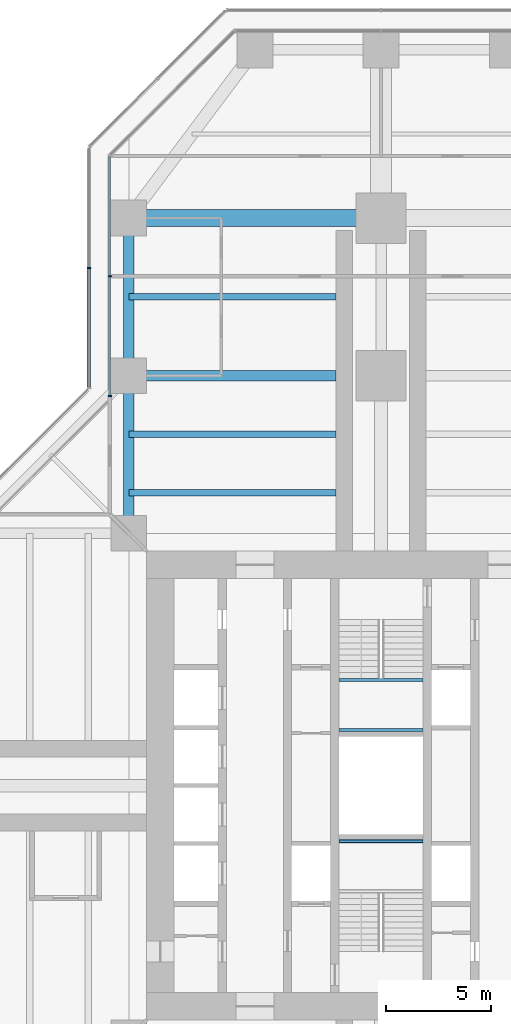
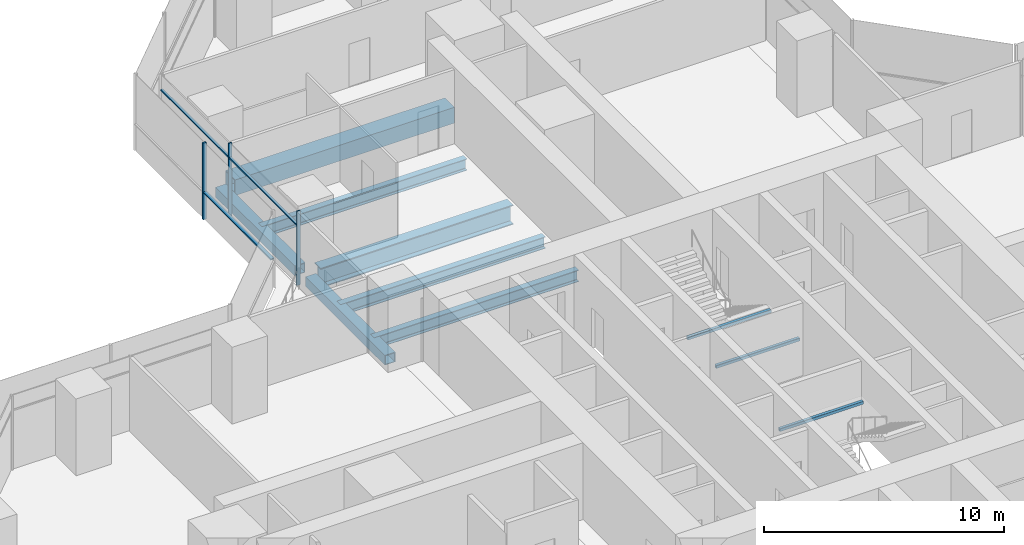
# One storey, part 9 of 22: 10 beams, 6 members, 2 elements without a shape of their own.
"""IFC4 building model written with IfcOpenShell, lengths in metres."""

import ifcopenshell
import ifcopenshell.guid

model = None  # the IFC model being written
_history = None  # IfcOwnerHistory: only IFC2X3 demands one
_inside = {}  # id of a spatial element -> (the spatial element, [elements in it])
_under = {}  # id of a project, library or spatial element -> (it, [spatial elements below it])
_declared = {}  # id of a project -> (the project, [libraries it declares])
_typed = {}  # id of a type object -> (the type object, [elements of that type])
_made_of = {}  # id of a material, layer set ... -> (it, [elements and type objects made of it])


def new_model(schema):
    """Start an empty IFC model of exactly this schema.

    Asked for "IFC4X3", IfcOpenShell would pick the latest addendum, in which some entities
    have other attributes; the version numbers below select the first issue.
    IFC2X3 requires an IfcOwnerHistory on every rooted entity: one is made here for all.
    """
    global model, _history
    if schema == "IFC4X3":
        model = ifcopenshell.file(schema_version=(4, 3, 0, 0))
    else:
        model = ifcopenshell.file(schema=schema)
    _inside.clear()
    _under.clear()
    _declared.clear()
    _typed.clear()
    _made_of.clear()
    _history = None
    if model.schema == "IFC2X3":
        org = make("IfcOrganization", Name="unknown")
        user = make(
            "IfcPersonAndOrganization",
            ThePerson=make("IfcPerson", FamilyName="unknown"),
            TheOrganization=org,
        )
        app = make(
            "IfcApplication",
            ApplicationDeveloper=org,
            Version="unknown",
            ApplicationFullName="unknown",
            ApplicationIdentifier="unknown",
        )
        _history = make(
            "IfcOwnerHistory",
            OwningUser=user,
            OwningApplication=app,
            ChangeAction="ADDED",
            CreationDate=0,
        )
    return model


def make(cls, **values):
    """One entity of the class cls with the attributes given. An attribute that is None is left unset."""
    return model.create_entity(
        cls, **{name: value for name, value in values.items() if value is not None}
    )


def rooted(cls, **values):
    """An entity with a GlobalId (a new one), such as an element, a storey or a relation."""
    return make(cls, GlobalId=ifcopenshell.guid.new(), OwnerHistory=_history, **values)


def si_unit(unit_type, name, prefix=None):
    """IfcSIUnit, for example si_unit("LENGTHUNIT", "METRE", prefix="MILLI")."""
    return make("IfcSIUnit", UnitType=unit_type, Prefix=prefix, Name=name)


def assignment(units):
    """IfcUnitAssignment: the units of a project."""
    return None if units is None else make("IfcUnitAssignment", Units=units)


def point(xyz):
    """IfcCartesianPoint."""
    return None if xyz is None else make("IfcCartesianPoint", Coordinates=xyz)


def direction(xyz):
    """IfcDirection."""
    return None if xyz is None else make("IfcDirection", DirectionRatios=xyz)


def frame(location, z_axis=None, x_axis=None):
    """IfcAxis2Placement3D, a coordinate frame: its origin and axes. An axis left out is left unset."""
    return make(
        "IfcAxis2Placement3D",
        Location=point(location),
        Axis=direction(z_axis),
        RefDirection=direction(x_axis),
    )


def frame_2d(location, x_axis=None):
    """IfcAxis2Placement2D, a coordinate frame in the plane: its origin and x axis."""
    return make(
        "IfcAxis2Placement2D", Location=point(location), RefDirection=direction(x_axis)
    )


def origin():
    """The frame at (0, 0, 0) with its axes left unset."""
    return frame((0.0, 0.0, 0.0))


def origin_2d():
    """The frame at (0, 0) in the plane with its x axis left unset."""
    return frame_2d((0.0, 0.0))


def place(relative_to, where):
    """IfcLocalPlacement: puts the frame where relative to a parent placement (None: the world)."""
    return make(
        "IfcLocalPlacement", PlacementRelTo=relative_to, RelativePlacement=where
    )


def context(
    kind, dimensions, precision=None, world=None, true_north=None, identifier=None
):
    """IfcGeometricRepresentationContext, for example the 3D "Model" context."""
    return make(
        "IfcGeometricRepresentationContext",
        ContextIdentifier=identifier,
        ContextType=kind,
        CoordinateSpaceDimension=dimensions,
        Precision=precision,
        WorldCoordinateSystem=world,
        TrueNorth=true_north,
    )


def subcontext(parent, identifier, kind, view, scale=None):
    """IfcGeometricRepresentationSubContext, for example "Body" below "Model"."""
    return make(
        "IfcGeometricRepresentationSubContext",
        ContextIdentifier=identifier,
        ContextType=kind,
        ParentContext=parent,
        TargetScale=scale,
        TargetView=view,
    )


def project(units=None, contexts=None):
    """IfcProject with its units and contexts."""
    return rooted(
        "IfcProject",
        Name="project",
        RepresentationContexts=contexts,
        UnitsInContext=assignment(units),
    )


def spatial(cls, under=None, at=None, **own):
    """A site, building, storey or space (cls), placed at a placement, below another one or the project."""
    s = rooted(cls, ObjectPlacement=at, **own)
    if under is not None:
        _under.setdefault(under.id(), (under, []))[1].append(s)
    return s


def profile(cls, at=None, kind="AREA", **sizes):
    """A parametric profile (cls). Its sizes go by their IFC names, for example OverallWidth=200.0."""
    return make(cls, ProfileType=kind, Position=at, **sizes)


def rectangle(**sizes):
    """IfcRectangleProfileDef."""
    return profile("IfcRectangleProfileDef", **sizes)


def hollow_rectangle(**sizes):
    """IfcRectangleHollowProfileDef."""
    return profile("IfcRectangleHollowProfileDef", **sizes)


def i_section(**sizes):
    """IfcIShapeProfileDef."""
    return profile("IfcIShapeProfileDef", **sizes)


def extrude(swept, where, along, depth):
    """IfcExtrudedAreaSolid: the profile swept, set in the frame where, extruded along a direction by depth."""
    return make(
        "IfcExtrudedAreaSolid",
        SweptArea=swept,
        Position=where,
        ExtrudedDirection=direction(along),
        Depth=depth,
    )


def shape(context_of_items, identifier, shape_type, items):
    """IfcShapeRepresentation: the items that make up one representation, for example the "Body"."""
    return make(
        "IfcShapeRepresentation",
        ContextOfItems=context_of_items,
        RepresentationIdentifier=identifier,
        RepresentationType=shape_type,
        Items=items,
    )


def material(Name=None, Category=None):
    """IfcMaterial."""
    return make("IfcMaterial", Name=Name, Category=Category)


def material_profile(
    of_material, cross_section, Name=None, Category=None, Priority=None
):
    """IfcMaterialProfile: a cross section and its material."""
    return make(
        "IfcMaterialProfile",
        Name=Name,
        Material=of_material,
        Profile=cross_section,
        Priority=Priority,
        Category=Category,
    )


def profile_set(profiles, Name=None, composite=None):
    """IfcMaterialProfileSet."""
    return make(
        "IfcMaterialProfileSet",
        Name=Name,
        MaterialProfiles=profiles,
        CompositeProfile=composite,
    )


def made_of(thing, what):
    """Note that an element or type object is made of a material, layer set ...; save() writes the relation."""
    if what is not None:
        _made_of.setdefault(what.id(), (what, []))[1].append(thing)
    return thing


def type_object(cls, material=None, **own):
    """A type object (cls), such as IfcWallType, which elements share."""
    return made_of(rooted(cls, **own), material)


def element(
    cls,
    number,
    at=None,
    inside=None,
    cuts=None,
    type_object=None,
    material=None,
    context=None,
    identifier="Body",
    shape_type=None,
    held_by="IfcProductDefinitionShape",
    body=None,
    shapes=None,
    **own,
):
    """One element of the class cls, such as IfcWall. Its Tag is "e" and its number.

    at: its placement. inside: the storey or other place that contains it. cuts: it is an
    opening in that element (IfcRelVoidsElement). A single representation is given by context,
    identifier, shape_type and body (its items); several are given by shapes. held_by: the class
    of the entity that holds the representations. save() writes the other relations.
    """
    e = rooted(cls, Tag="e%d" % number, ObjectPlacement=at, **own)
    if body is not None:
        shapes = [shape(context, identifier, shape_type, body)]
    if shapes is not None:
        e.Representation = make(held_by, Representations=shapes)
    if inside is not None:
        _inside.setdefault(inside.id(), (inside, []))[1].append(e)
    if cuts is not None:
        rooted(
            "IfcRelVoidsElement", RelatingBuildingElement=cuts, RelatedOpeningElement=e
        )
    if type_object is not None:
        _typed.setdefault(type_object.id(), (type_object, []))[1].append(e)
    return made_of(e, material)


def aggregate(whole, parts):
    """IfcRelAggregates: a whole, such as a stair, and the parts it consists of."""
    return rooted("IfcRelAggregates", RelatingObject=whole, RelatedObjects=parts)


def save(model, path):
    """Write the relations noted so far, then the file.

    IfcRelAggregates (storeys below a building ...), IfcRelContainedInSpatialStructure (elements
    in a storey), IfcRelDefinesByType, IfcRelAssociatesMaterial and IfcRelDeclares: one each for
    every whole, place, type object, material and project.
    """
    for whole, parts in _under.values():
        aggregate(whole, parts)
    for where, things in _inside.values():
        rooted(
            "IfcRelContainedInSpatialStructure",
            RelatedElements=things,
            RelatingStructure=where,
        )
    for kind, things in _typed.values():
        rooted("IfcRelDefinesByType", RelatedObjects=things, RelatingType=kind)
    for what, things in _made_of.values():
        rooted("IfcRelAssociatesMaterial", RelatedObjects=things, RelatingMaterial=what)
    for by, libraries in _declared.values():
        rooted("IfcRelDeclares", RelatingContext=by, RelatedDefinitions=libraries)
    model.write(path)


model = new_model("IFC4")

# Units and contexts
model_context = context("Model", 3, precision=1e-05, world=origin(), true_north=direction((0.0, 1.0)))
body_context = subcontext(model_context, "Body", "Model", "MODEL_VIEW")
ifc_project = project(units=[si_unit("LENGTHUNIT", "METRE"), si_unit("AREAUNIT", "SQUARE_METRE"), si_unit("VOLUMEUNIT", "CUBIC_METRE"), si_unit("PLANEANGLEUNIT", "RADIAN"), si_unit("MASSUNIT", "GRAM", prefix="KILO")], contexts=[model_context])

# Site, building, storey
site_placement = place(None, origin())
site = spatial("IfcSite", under=ifc_project, at=site_placement, CompositionType="ELEMENT")
building_placement = place(site_placement, origin())
building = spatial("IfcBuilding", under=site, at=building_placement, Name="Mizan Broadcast Tower", CompositionType="ELEMENT")
storey_placement = place(building_placement, frame((0.0, 0.0, 105.89990234375)))
storey = spatial("IfcBuildingStorey", under=building, at=storey_placement, Name="L23", CompositionType="ELEMENT", Elevation=105.89990234375)

# Beams
ifc_material_1 = material(Name="Steel S355", Category="steel")
ifc_material_profile_1 = material_profile(ifc_material_1, hollow_rectangle(XDim=0.5, YDim=0.5, WallThickness=0.030029296875, at=origin_2d()), Name="BOX 500x500x30")
ifc_profile_set_1 = profile_set([ifc_material_profile_1], Name="Steel S355")
beam_type_1 = type_object("IfcBeamType", Name="EDGE BEAM BOX 500x500x30", PredefinedType="SPANDREL", material=ifc_profile_set_1)
for number, where, z_axis, x_axis, name in (
    (1, (-12.0, 12.449951171875, -0.3798828125), (0.0, 1.0, 0.0), (-1.0, 0.0, 0.0), "Edge beam BOX 500x500x30 L23 north arm"),
    (2, (-12.0, 19.949951171875, -0.3798828125), (0.0, 1.0, 0.0), (-1.0, 0.0, 0.0), "Edge beam BOX 500x500x30 L23 north arm"),
):
    element("IfcBeam", number, at=place(storey_placement, frame(where, z_axis=z_axis, x_axis=x_axis)), inside=storey, type_object=beam_type_1, Name=name, PredefinedType="SPANDREL", context=body_context, shape_type="SweptSolid", body=[
        extrude(hollow_rectangle(XDim=0.5, YDim=0.5, WallThickness=0.030029296875, at=origin_2d()), origin(), (0.0, 0.0, 1.0), 6.60009765625),
    ])
ifc_material_2 = material(Name="Steel S460", Category="steel")
ifc_material_profile_2 = material_profile(ifc_material_2, hollow_rectangle(XDim=0.800048828125, YDim=0.800048828125, WallThickness=0.050048828125, at=origin_2d()), Name="BOX 800x800x50")
ifc_profile_set_2 = profile_set([ifc_material_profile_2], Name="Steel S460")
beam_type_2 = type_object("IfcBeamType", Name="GIRDER BOX 800x800x50", PredefinedType="BEAM", material=ifc_profile_set_2)
beam_1_placement = place(storey_placement, frame((-11.280029296875, 27.0, -0.52978515625), z_axis=(1.0, 0.0, 0.0), x_axis=(0.0, 1.0, 0.0)))
element("IfcBeam", 3, at=beam_1_placement, inside=storey, type_object=beam_type_2, Name="Girder BOX 800x800x50 L23 north arm", PredefinedType="BEAM", context=body_context, shape_type="SweptSolid", body=[
    extrude(hollow_rectangle(XDim=0.800048828125, YDim=0.800048828125, WallThickness=0.050048828125, at=origin_2d()), origin(), (0.0, 0.0, 1.0), 10.56005859375),
])
ifc_material_3 = material(Name="Steel S460", Category="steel")
ifc_material_profile_3 = material_profile(ifc_material_3, i_section(OverallWidth=0.5, OverallDepth=1.0, WebThickness=0.02490234375, FlangeThickness=0.050048828125, at=origin_2d()), Name="WPG 1000x500")
ifc_profile_set_3 = profile_set([ifc_material_profile_3], Name="Steel S460")
beam_type_3 = type_object("IfcBeamType", Name="GIRDER WPG 1000x500", PredefinedType="BEAM", material=ifc_profile_set_3)
beam_2_placement = place(storey_placement, frame((-11.408935546875, 19.5, -0.6298828125), z_axis=(1.0, 0.0, 0.0), x_axis=(0.0, 1.0, 0.0)))
element("IfcBeam", 4, at=beam_2_placement, inside=storey, type_object=beam_type_3, Name="Girder WPG 1000x500 L23 north arm", PredefinedType="BEAM", context=body_context, shape_type="SweptSolid", body=[
    extrude(i_section(OverallWidth=0.5, OverallDepth=1.0, WebThickness=0.02490234375, FlangeThickness=0.050048828125, at=origin_2d()), origin(), (0.0, 0.0, 1.0), 9.259033203125),
])

# Curtain wall, members
ifc_material_4 = material(Name="Aluminium framed glazing", Category="aluminium")
curtain_wall_type_1 = type_object("IfcCurtainWallType", Name="INNER SKIN LOW ZONE", PredefinedType="USERDEFINED", material=ifc_material_4)
curtain_wall_1_placement = place(storey_placement, origin())
curtain_wall_1 = element("IfcCurtainWall", 5, at=curtain_wall_1_placement, inside=storey, type_object=curtain_wall_type_1, Name="Inner skin low zone L23 N side", ObjectType="INNER SKIN LOW ZONE", PredefinedType="USERDEFINED")
ifc_material_5 = material(Name="Aluminium, pale anodised", Category="aluminium")
ifc_material_profile_4 = material_profile(ifc_material_5, rectangle(XDim=0.159912109375, YDim=0.06005859375, at=origin_2d()), Name="MULLION 160x60")
ifc_profile_set_4 = profile_set([ifc_material_profile_4], Name="Aluminium, pale anodised")
member_type_1 = type_object("IfcMemberType", Name="INNER SKIN MULLION 60x160", PredefinedType="MULLION", material=ifc_profile_set_4)
member_1_placement = place(storey_placement, frame((-12.89990234375, 24.229248046875, 0.0), z_axis=(0.0, 0.0, 1.0), x_axis=(1.0, 0.0, 0.0)))
member_1 = element("IfcMember", 6, at=member_1_placement, type_object=member_type_1, Name="Inner skin low zone L23 N side mullion 2", PredefinedType="MULLION", context=body_context, shape_type="SweptSolid", body=[
    extrude(rectangle(XDim=0.159912109375, YDim=0.06005859375, at=origin_2d()), origin(), (0.0, 0.0, 1.0), 3.77001953125),
])
member_2_placement = place(storey_placement, frame((-12.89990234375, 18.530029296875, 0.0), z_axis=(0.0, 0.0, 1.0), x_axis=(1.0, 0.0, 0.0)))
member_2 = element("IfcMember", 7, at=member_2_placement, type_object=member_type_1, Name="Inner skin low zone L23 N side mullion 3", PredefinedType="MULLION", context=body_context, shape_type="SweptSolid", body=[
    extrude(rectangle(XDim=0.159912109375, YDim=0.06005859375, at=origin_2d()), origin(), (0.0, 0.0, 1.0), 3.77001953125),
])
ifc_material_6 = material(Name="Aluminium, pale anodised", Category="aluminium")
ifc_material_profile_5 = material_profile(ifc_material_6, rectangle(XDim=0.1201171875, YDim=0.06005859375, at=origin_2d()), Name="TRANSOM 120x60")
ifc_profile_set_5 = profile_set([ifc_material_profile_5], Name="Aluminium, pale anodised")
member_type_2 = type_object("IfcMemberType", Name="INNER SKIN TRANSOM 60x120", PredefinedType="USERDEFINED", material=ifc_profile_set_5)
member_3_placement = place(storey_placement, frame((-12.89990234375, 29.898681640625, 3.030029296875), z_axis=(0.0, -1.0, 0.0), x_axis=(1.0, 0.0, 0.0)))
member_3 = element("IfcMember", 8, at=member_3_placement, type_object=member_type_2, Name="Inner skin low zone L23 N side transom 1.1", ObjectType="TRANSOM", PredefinedType="USERDEFINED", context=body_context, shape_type="SweptSolid", body=[
    extrude(rectangle(XDim=0.1201171875, YDim=0.06005859375, at=origin_2d()), origin(), (0.0, 0.0, 1.0), 5.639404296875),
])
member_4_placement = place(storey_placement, frame((-12.89990234375, 24.19921875, 3.030029296875), z_axis=(0.0, -1.0, 0.0), x_axis=(1.0, 0.0, 0.0)))
member_4 = element("IfcMember", 9, at=member_4_placement, type_object=member_type_2, Name="Inner skin low zone L23 N side transom 2.1", ObjectType="TRANSOM", PredefinedType="USERDEFINED", context=body_context, shape_type="SweptSolid", body=[
    extrude(rectangle(XDim=0.1201171875, YDim=0.06005859375, at=origin_2d()), origin(), (0.0, 0.0, 1.0), 5.63916015625),
])
aggregate(curtain_wall_1, [member_1, member_2, member_3, member_4])

# Beams
ifc_material_7 = material(Name="Steel S355", Category="steel")
ifc_material_profile_6 = material_profile(ifc_material_7, hollow_rectangle(XDim=0.14990234375, YDim=0.14990234375, WallThickness=0.008056640625, InnerFilletRadius=0.008056640625, OuterFilletRadius=0.011962890625, at=origin_2d()), Name="SHS 150x150x8")
ifc_profile_set_6 = profile_set([ifc_material_profile_6], Name="Steel S355")
beam_type_4 = type_object("IfcBeamType", Name="LANDING TRIMMER SHS 150x150x8", PredefinedType="BEAM", material=ifc_profile_set_6)
for number, where, z_axis, x_axis, name in (
    (10, (-2.0, -2.64990234375, 1.675048828125), (1.0, 0.0, 0.0), (0.0, 1.0, 0.0), "Stair A landing trimmer L23"),
    (11, (2.0, 5.02490234375, 1.675048828125), (-1.0, 0.0, 0.0), (0.0, -1.0, 0.0), "Stair B landing trimmer L23"),
    (12, (2.0, 2.64990234375, 1.675048828125), (-1.0, 0.0, 0.0), (0.0, -1.0, 0.0), "Stair B landing trimmer L23"),
):
    element("IfcBeam", number, at=place(storey_placement, frame(where, z_axis=z_axis, x_axis=x_axis)), inside=storey, type_object=beam_type_4, Name=name, PredefinedType="BEAM", context=body_context, shape_type="SweptSolid", body=[
        extrude(hollow_rectangle(XDim=0.14990234375, YDim=0.14990234375, WallThickness=0.008056640625, InnerFilletRadius=0.008056640625, OuterFilletRadius=0.011962890625, at=origin_2d()), origin(), (0.0, 0.0, 1.0), 4.0),
    ])

# Curtain wall, members
ifc_material_8 = material(Name="Aluminium framed glazing", Category="aluminium")
curtain_wall_type_2 = type_object("IfcCurtainWallType", Name="OUTER SKIN", PredefinedType="USERDEFINED", material=ifc_material_8)
curtain_wall_2_placement = place(storey_placement, origin())
curtain_wall_2 = element("IfcCurtainWall", 13, at=curtain_wall_2_placement, inside=storey, type_object=curtain_wall_type_2, Name="Outer skin L23 N side", ObjectType="OUTER SKIN", PredefinedType="USERDEFINED")
ifc_material_9 = material(Name="Aluminium, pale anodised", Category="aluminium")
ifc_material_profile_7 = material_profile(ifc_material_9, rectangle(XDim=0.159912109375, YDim=0.080078125, at=origin_2d()), Name="MULLION 160x80")
ifc_profile_set_7 = profile_set([ifc_material_profile_7], Name="Aluminium, pale anodised")
member_type_3 = type_object("IfcMemberType", Name="OUTER SKIN MULLION 80x160", PredefinedType="MULLION", material=ifc_profile_set_7)
member_5_placement = place(storey_placement, frame((-13.89990234375, 24.622802734375, 0.0), z_axis=(0.0, 0.0, 1.0), x_axis=(1.0, 0.0, 0.0)))
member_5 = element("IfcMember", 14, at=member_5_placement, type_object=member_type_3, Name="Outer skin L23 N side mullion 2", PredefinedType="MULLION", context=body_context, shape_type="SweptSolid", body=[
    extrude(rectangle(XDim=0.159912109375, YDim=0.080078125, at=origin_2d()), origin(), (0.0, 0.0, 1.0), 3.900146484375),
])
ifc_material_10 = material(Name="Aluminium, pale anodised", Category="aluminium")
ifc_material_profile_8 = material_profile(ifc_material_10, rectangle(XDim=0.159912109375, YDim=0.06005859375, at=origin_2d()), Name="TRANSOM 160x60")
ifc_profile_set_8 = profile_set([ifc_material_profile_8], Name="Aluminium, pale anodised")
member_type_4 = type_object("IfcMemberType", Name="OUTER SKIN TRANSOM 60x160", PredefinedType="USERDEFINED", material=ifc_profile_set_8)
member_6_placement = place(storey_placement, frame((-13.89990234375, 24.582763671875, 1.400146484375), z_axis=(0.0, -1.0, 0.0), x_axis=(1.0, 0.0, 0.0)))
member_6 = element("IfcMember", 15, at=member_6_placement, type_object=member_type_4, Name="Outer skin L23 N side transom 2.1", ObjectType="TRANSOM", PredefinedType="USERDEFINED", context=body_context, shape_type="SweptSolid", body=[
    extrude(rectangle(XDim=0.159912109375, YDim=0.06005859375, at=origin_2d()), origin(), (0.0, 0.0, 1.0), 5.6298828125),
])
aggregate(curtain_wall_2, [member_5, member_6])

# Beams
ifc_material_11 = material(Name="Steel S355", Category="steel")
ifc_material_profile_9 = material_profile(ifc_material_11, i_section(OverallWidth=0.300048828125, OverallDepth=0.590087890625, WebThickness=0.012939453125, FlangeThickness=0.02490234375, FilletRadius=0.027099609375, at=origin_2d()), Name="HEA 600")
ifc_profile_set_9 = profile_set([ifc_material_profile_9], Name="Steel S355")
beam_type_5 = type_object("IfcBeamType", Name="SECONDARY BEAM HEA 600", PredefinedType="JOIST", material=ifc_profile_set_9)
for number, where, z_axis, x_axis, name in (
    (16, (-12.0, 13.933349609375, -0.4248046875), (1.0, 0.0, 0.0), (0.0, 1.0, 0.0), "Secondary beam HEA 600 L23 north arm"),
    (17, (-12.0, 16.716552734375, -0.4248046875), (1.0, 0.0, 0.0), (0.0, 1.0, 0.0), "Secondary beam HEA 600 L23 north arm"),
    (18, (-12.0, 23.25, -0.4248046875), (1.0, 0.0, 0.0), (0.0, 1.0, 0.0), "Secondary beam HEA 600 L23 north arm"),
):
    element("IfcBeam", number, at=place(storey_placement, frame(where, z_axis=z_axis, x_axis=x_axis)), inside=storey, type_object=beam_type_5, Name=name, PredefinedType="JOIST", context=body_context, shape_type="SweptSolid", body=[
        extrude(i_section(OverallWidth=0.300048828125, OverallDepth=0.590087890625, WebThickness=0.012939453125, FlangeThickness=0.02490234375, FilletRadius=0.027099609375, at=origin_2d()), origin(), (0.0, 0.0, 1.0), 9.85009765625),
    ])

save(model, "model.ifc")
